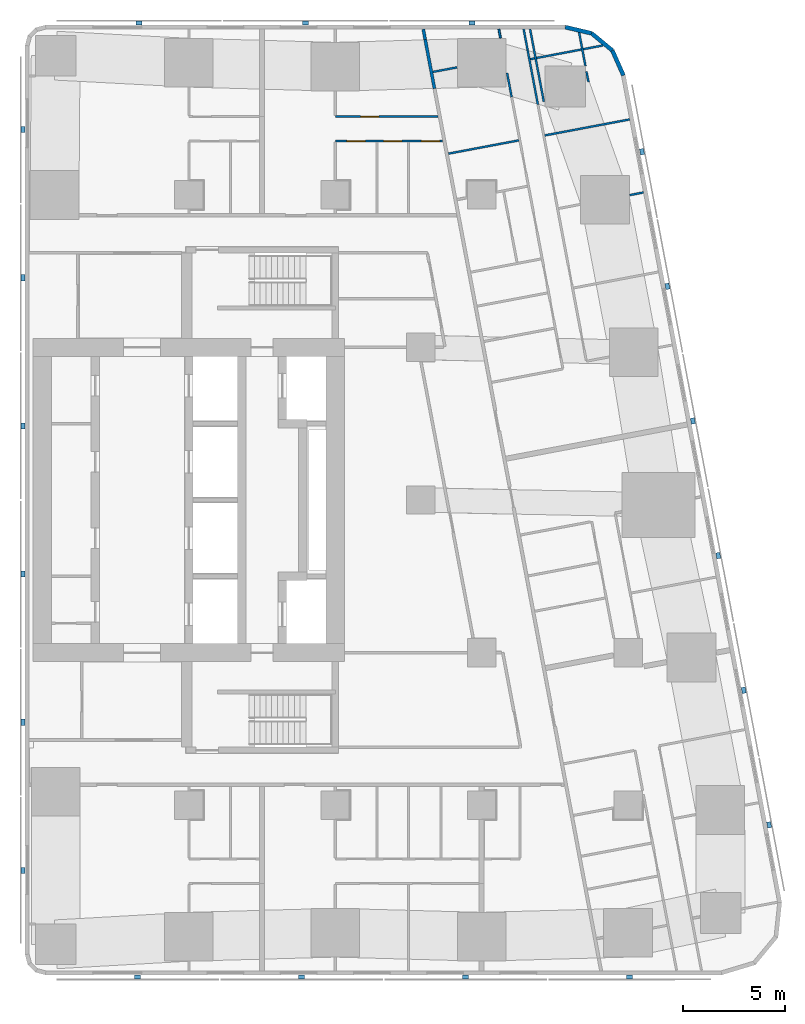
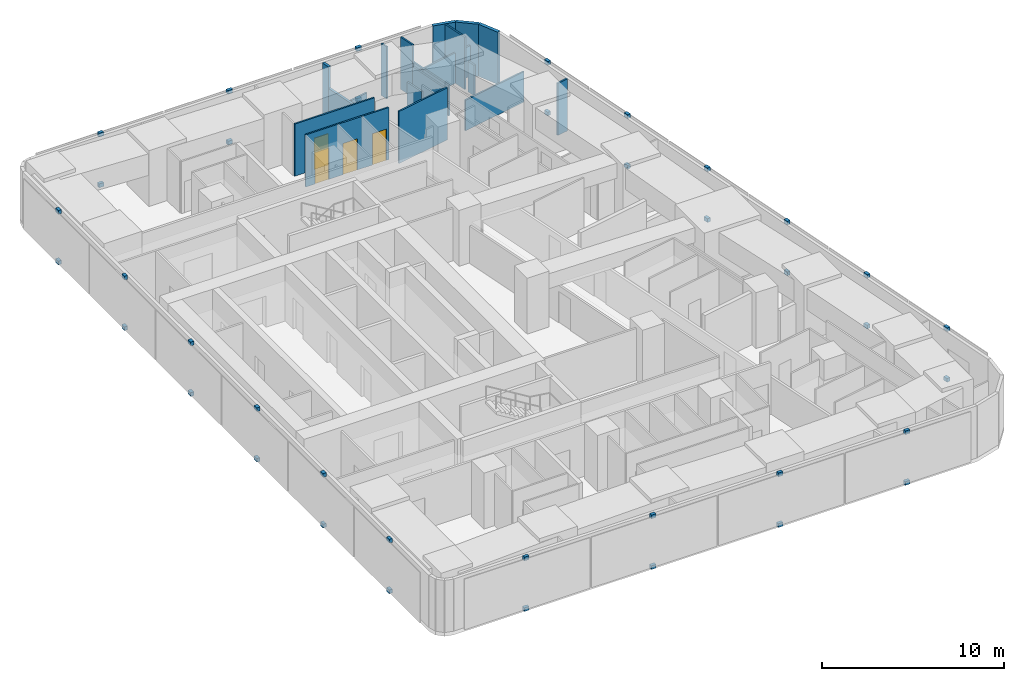
# One storey, part 8 of 10: 38 discrete accessories, 19 walls, 4 doors, 4 openings.
"""IFC4 building model written with IfcOpenShell, lengths in metres."""

from ifc_helpers import new_model, si_unit, direction, frame, frame_2d, origin, origin_2d, place, context, subcontext, project, spatial, rectangle, extrude, material, layer, layer_set, type_object, element, fill, save


model = new_model("IFC4")

# Units and contexts
model_context = context("Model", 3, precision=1e-05, world=origin(), true_north=direction((0.0, 1.0)))
body_context = subcontext(model_context, "Body", "Model", "MODEL_VIEW")
ifc_project = project(units=[si_unit("LENGTHUNIT", "METRE"), si_unit("AREAUNIT", "SQUARE_METRE"), si_unit("VOLUMEUNIT", "CUBIC_METRE"), si_unit("PLANEANGLEUNIT", "RADIAN"), si_unit("MASSUNIT", "GRAM", prefix="KILO")], contexts=[model_context])

# Site, building, storey
site_placement = place(None, origin())
site = spatial("IfcSite", under=ifc_project, at=site_placement, CompositionType="ELEMENT")
building_placement = place(site_placement, origin())
building = spatial("IfcBuilding", under=site, at=building_placement, Name="Sheger Commons Tower", CompositionType="ELEMENT")
storey_placement = place(building_placement, frame((0.0, 0.0, 231.199951171875)))
storey = spatial("IfcBuildingStorey", under=building, at=storey_placement, Name="L59", CompositionType="ELEMENT", Elevation=231.199951171875)

# Walls
ifc_material_1 = material(Name="Hollow concrete block masonry, skimmed both sides", Category="masonry")
ifc_layer_1 = layer(ifc_material_1, 0.14990234375)
ifc_layer_set_1 = layer_set([ifc_layer_1], Name="CORRIDOR WALL 150")
wall_type_1 = type_object("IfcWallType", Name="CORRIDOR WALL 150", PredefinedType="SOLIDWALL", material=ifc_layer_set_1)
wall_1_placement = place(storey_placement, frame((33.126953125, 45.64990234375, 0.0), z_axis=(0.0, 0.0, 1.0), x_axis=(0.185441815104, -0.982655246366, 0.0)))
element("IfcWall", 1, at=wall_1_placement, inside=storey, type_object=wall_type_1, Name="Corridor wall L59", PredefinedType="SOLIDWALL", context=body_context, shape_type="SweptSolid", body=[
    extrude(rectangle(XDim=0.52392578125, YDim=0.14990234375, at=frame_2d((0.261962890625, 0.0))), origin(), (0.0, 0.0, 1.0), 3.5),
])
wall_2_placement = place(storey_placement, frame((33.22412109375, 45.135009765625, 0.0), z_axis=(0.0, 0.0, 1.0), x_axis=(0.185681462868, -0.982609990967, 0.0)))
element("IfcWall", 2, at=wall_2_placement, inside=storey, type_object=wall_type_1, Name="Corridor wall L59", PredefinedType="SOLIDWALL", context=body_context, shape_type="SweptSolid", body=[
    extrude(rectangle(XDim=2.454833984375, YDim=0.14990234375, at=frame_2d((1.2275390625, 0.0))), origin(), (0.0, 0.0, 1.0), 2.050048828125),
])
ifc_material_2 = material(Name="Rendered concrete block masonry, dark grey", Category="masonry")
ifc_layer_2 = layer(ifc_material_2, 0.199951171875)
ifc_layer_set_2 = layer_set([ifc_layer_2], Name="FACADE WALL 200")
wall_type_2 = type_object("IfcWallType", Name="FACADE WALL 200", PredefinedType="SOLIDWALL", material=ifc_layer_set_2)
wall_3_placement = place(storey_placement, frame((42.969970703125, 43.376953125, 0.0), z_axis=(0.0, 0.0, 1.0), x_axis=(-0.406002956633, 0.913871762998, 0.0)))
element("IfcWall", 3, at=wall_3_placement, inside=storey, type_object=wall_type_2, Name="Facade wall L59", PredefinedType="SOLIDWALL", context=body_context, shape_type="SweptSolid", body=[
    extrude(rectangle(XDim=1.33740234375, YDim=0.199951171875, at=frame_2d((0.668701171875, 0.0))), origin(), (0.0, 0.0, 1.0), 3.5),
])
wall_4_placement = place(storey_placement, frame((42.427001953125, 44.59912109375, 0.0), z_axis=(0.0, 0.0, 1.0), x_axis=(-0.770091412544, 0.637933551655, 0.0)))
element("IfcWall", 4, at=wall_4_placement, inside=storey, type_object=wall_type_2, Name="Facade wall L59", PredefinedType="SOLIDWALL", context=body_context, shape_type="SweptSolid", body=[
    extrude(rectangle(XDim=1.324462890625, YDim=0.199951171875, at=frame_2d((0.662109375, 0.0))), origin(), (0.0, 0.0, 1.0), 3.5),
])
wall_5_placement = place(storey_placement, frame((41.406982421875, 45.444091796875, 0.0), z_axis=(0.0, 0.0, 1.0), x_axis=(-0.973453091607, 0.228886606077, 0.0)))
element("IfcWall", 5, at=wall_5_placement, inside=storey, type_object=wall_type_2, Name="Facade wall L59", PredefinedType="SOLIDWALL", context=body_context, shape_type="SweptSolid", body=[
    extrude(rectangle(XDim=1.33642578125, YDim=0.199951171875, at=frame_2d((0.668212890625, 0.0))), origin(), (0.0, 0.0, 1.0), 3.5),
])
ifc_material_3 = material(Name="Gypsum board on steel studs", Category="steel")
ifc_layer_3 = layer(ifc_material_3, 0.10009765625)
ifc_layer_set_3 = layer_set([ifc_layer_3], Name="PARTITION 100")
wall_type_3 = type_object("IfcWallType", Name="PARTITION 100", PredefinedType="PARTITIONING", material=ifc_layer_set_3)
wall_6_placement = place(storey_placement, frame((39.053955078125, 42.0849609375, 0.0), z_axis=(0.0, 0.0, 1.0), x_axis=(-0.185791584218, 0.982589175207, 0.0)))
element("IfcWall", 6, at=wall_6_placement, inside=storey, type_object=wall_type_3, Name="Partition L59", PredefinedType="PARTITIONING", context=body_context, shape_type="SweptSolid", body=[
    extrude(rectangle(XDim=3.628173828125, YDim=0.10009765625, at=frame_2d((1.81396484375, 0.0))), origin(), (0.0, 0.0, 1.0), 2.050048828125),
])
wall_7_placement = place(storey_placement, frame((40.7890625, 45.487060546875, 0.0), z_axis=(0.0, 0.0, 1.0), x_axis=(0.185572395193, -0.982630594955, 0.0)))
element("IfcWall", 7, at=wall_7_placement, inside=storey, type_object=wall_type_3, Name="Partition L59", PredefinedType="PARTITIONING", context=body_context, shape_type="SweptSolid", body=[
    extrude(rectangle(XDim=1.676025390625, YDim=0.10009765625, at=frame_2d((0.837890625, 0.0))), origin(), (0.0, 0.0, 1.0), 3.5),
])
wall_8_placement = place(storey_placement, frame((41.15087890625, 43.569091796875, 0.0), z_axis=(0.0, 0.0, 1.0), x_axis=(0.186563073924, -0.982442985342, 0.0)))
element("IfcWall", 8, at=wall_8_placement, inside=storey, type_object=wall_type_3, Name="Partition L59", PredefinedType="PARTITIONING", context=body_context, shape_type="SweptSolid", body=[
    extrude(rectangle(XDim=0.53125, YDim=0.10009765625, at=frame_2d((0.265625, 0.0))), origin(), (0.0, 0.0, 1.0), 2.050048828125),
])
wall_9_placement = place(storey_placement, frame((38.06298828125, 45.64990234375, 0.0), z_axis=(0.0, 0.0, 1.0), x_axis=(0.185677287841, -0.982610779902, 0.0)))
element("IfcWall", 9, at=wall_9_placement, inside=storey, type_object=wall_type_3, Name="Partition L59", PredefinedType="PARTITIONING", context=body_context, shape_type="SweptSolid", body=[
    extrude(rectangle(XDim=1.0400390625, YDim=0.10009765625, at=frame_2d((0.52001953125, 0.0))), origin(), (0.0, 0.0, 1.0), 3.5),
])
wall_10_placement = place(storey_placement, frame((38.256103515625, 44.6279296875, 0.0), z_axis=(0.0, 0.0, 1.0), x_axis=(0.185700639943, -0.982606366927, 0.0)))
element("IfcWall", 10, at=wall_10_placement, inside=storey, type_object=wall_type_3, Name="Partition L59", PredefinedType="PARTITIONING", context=body_context, shape_type="SweptSolid", body=[
    extrude(rectangle(XDim=2.734619140625, YDim=0.10009765625, at=frame_2d((1.3671875, 0.0))), origin(), (0.0, 0.0, 1.0), 2.050048828125),
])
wall_11_placement = place(storey_placement, frame((36.842041015625, 45.64990234375, 0.0), z_axis=(0.0, 0.0, 1.0), x_axis=(0.185407859198, -0.982661653748, 0.0)))
element("IfcWall", 11, at=wall_11_placement, inside=storey, type_object=wall_type_3, Name="Partition L59", PredefinedType="PARTITIONING", context=body_context, shape_type="SweptSolid", body=[
    extrude(rectangle(XDim=0.44775390625, YDim=0.10009765625, at=frame_2d((0.223876953125, 0.0))), origin(), (0.0, 0.0, 1.0), 3.5),
])
wall_12_placement = place(storey_placement, frame((37.2490234375, 43.492919921875, 0.0), z_axis=(0.0, 0.0, 1.0), x_axis=(0.185817643817, -0.982584247404, 0.0)))
element("IfcWall", 12, at=wall_12_placement, inside=storey, type_object=wall_type_3, Name="Partition L59", PredefinedType="PARTITIONING", context=body_context, shape_type="SweptSolid", body=[
    extrude(rectangle(XDim=1.204833984375, YDim=0.10009765625, at=frame_2d((0.6025390625, 0.0))), origin(), (0.0, 0.0, 1.0), 2.050048828125),
])
wall_13_placement = place(storey_placement, frame((41.968017578125, 44.85009765625, 0.0), z_axis=(0.0, 0.0, 1.0), x_axis=(-0.98258614234, -0.185807623311, 0.0)))
element("IfcWall", 13, at=wall_13_placement, inside=storey, type_object=wall_type_3, Name="Partition L59", PredefinedType="PARTITIONING", context=body_context, shape_type="SweptSolid", body=[
    extrude(rectangle(XDim=3.638427734375, YDim=0.10009765625, at=frame_2d((1.8193359375, 0.0))), origin(), (0.0, 0.0, 1.0), 2.050048828125),
])
wall_14_placement = place(storey_placement, frame((43.277099609375, 41.2119140625, 0.0), z_axis=(0.0, 0.0, 1.0), x_axis=(-0.982665405803, -0.185387972203, 0.0)))
element("IfcWall", 14, at=wall_14_placement, inside=storey, type_object=wall_type_3, Name="Partition L59", PredefinedType="PARTITIONING", context=body_context, shape_type="SweptSolid", body=[
    extrude(rectangle(XDim=4.249755859375, YDim=0.10009765625, at=frame_2d((2.125, 0.0))), origin(), (0.0, 0.0, 1.0), 2.050048828125),
])
wall_15_placement = place(storey_placement, frame((43.955078125, 37.6201171875, 0.0), z_axis=(0.0, 0.0, 1.0), x_axis=(-0.982495415327, -0.186286765128, 0.0)))
element("IfcWall", 15, at=wall_15_placement, inside=storey, type_object=wall_type_3, Name="Partition L59", PredefinedType="PARTITIONING", context=body_context, shape_type="SweptSolid", body=[
    extrude(rectangle(XDim=0.693359375, YDim=0.10009765625, at=frame_2d((0.3466796875, 0.0))), origin(), (0.0, 0.0, 1.0), 3.5),
])
wall_16_placement = place(storey_placement, frame((34.7900390625, 43.77099609375, 0.0), z_axis=(0.0, 0.0, 1.0), x_axis=(-0.982730261052, -0.18504387051, 0.0)))
element("IfcWall", 16, at=wall_16_placement, inside=storey, type_object=wall_type_3, Name="Partition L59", PredefinedType="PARTITIONING", context=body_context, shape_type="SweptSolid", body=[
    extrude(rectangle(XDim=1.2099609375, YDim=0.10009765625, at=frame_2d((0.60498046875, 0.0))), origin(), (0.0, 0.0, 1.0), 2.050048828125),
])
wall_17_placement = place(storey_placement, frame((37.823974609375, 40.181884765625, 0.0), z_axis=(0.0, 0.0, 1.0), x_axis=(-0.982648794755, -0.185475998897, 0.0)))
element("IfcWall", 17, at=wall_17_placement, inside=storey, type_object=wall_type_3, Name="Partition L59", PredefinedType="PARTITIONING", context=body_context, shape_type="SweptSolid", body=[
    extrude(rectangle(XDim=3.525146484375, YDim=0.10009765625, at=frame_2d((1.7626953125, 0.0))), origin(), (0.0, 0.0, 1.0), 3.5),
])

# Wall, opening, door
wall_18_placement = place(storey_placement, frame((28.800048828125, 41.35009765625, 0.0), z_axis=(0.0, 0.0, 1.0), x_axis=(1.0, 0.0, 0.0)))
wall_18 = element("IfcWall", 18, at=wall_18_placement, inside=storey, type_object=wall_type_3, Name="Partition L59", PredefinedType="PARTITIONING", context=body_context, shape_type="SweptSolid", body=[
    extrude(rectangle(XDim=5.052978515625, YDim=0.10009765625, at=frame_2d((2.5263671875, 0.0))), origin(), (0.0, 0.0, 1.0), 3.5),
])
opening_1_placement = place(wall_18_placement, frame((1.25, 0.0, 0.0)))
opening_1 = element("IfcOpeningElement", 19, at=opening_1_placement, cuts=wall_18, Name="Opening D2", PredefinedType="OPENING", context=body_context, shape_type="SweptSolid", body=[
    extrude(rectangle(XDim=0.89990234375, YDim=2.10009765625, at=frame_2d((0.449951171875, 1.050048828125))), frame((0.0, 0.06005859375, 0.0), z_axis=(0.0, -1.0, 0.0), x_axis=(1.0, 0.0, 0.0)), (0.0, 0.0, 1.0), 0.1201171875),
])
ifc_material_4 = material(Name="Timber door set", Category="wood")
door_type = type_object("IfcDoorType", Name="INTERNAL DOOR 900x2100", OperationType="NOTDEFINED", PredefinedType="DOOR", material=ifc_material_4)
door_1_placement = place(opening_1_placement, origin())
door_1 = element("IfcDoor", 20, at=door_1_placement, inside=storey, type_object=door_type, Name="Main bedroom door", OperationType="SINGLE_SWING_RIGHT", OverallHeight=2.10009765625, OverallWidth=0.89990234375, PredefinedType="DOOR", context=body_context, shape_type="SweptSolid", body=[
    extrude(rectangle(XDim=0.89990234375, YDim=2.10009765625, at=frame_2d((0.449951171875, 1.050048828125))), frame((0.0, 0.02490234375, 0.0), z_axis=(0.0, -1.0, 0.0), x_axis=(1.0, 0.0, 0.0)), (0.0, 0.0, 1.0), 0.050048828125),
])
fill(opening_1, door_1)

# Wall, openings, doors
wall_19_placement = place(storey_placement, frame((28.800048828125, 40.14990234375, 0.0), z_axis=(0.0, 0.0, 1.0), x_axis=(1.0, 0.0, 0.0)))
wall_19 = element("IfcWall", 21, at=wall_19_placement, inside=storey, type_object=wall_type_3, Name="Partition L59", PredefinedType="PARTITIONING", context=body_context, shape_type="SweptSolid", body=[
    extrude(rectangle(XDim=5.280029296875, YDim=0.10009765625, at=frame_2d((2.64013671875, 0.0))), origin(), (0.0, 0.0, 1.0), 3.5),
])
opening_2_placement = place(wall_19_placement, frame((0.574951171875, 0.0, 0.0)))
opening_2 = element("IfcOpeningElement", 22, at=opening_2_placement, cuts=wall_19, Name="Opening D2", PredefinedType="OPENING", context=body_context, shape_type="SweptSolid", body=[
    extrude(rectangle(XDim=0.89990234375, YDim=2.10009765625, at=frame_2d((0.449951171875, 1.050048828125))), frame((0.0, 0.06005859375, 0.0), z_axis=(0.0, -1.0, 0.0), x_axis=(1.0, 0.0, 0.0)), (0.0, 0.0, 1.0), 0.1201171875),
])
opening_3_placement = place(wall_19_placement, frame((4.22998046875, 0.0, 0.0)))
opening_3 = element("IfcOpeningElement", 23, at=opening_3_placement, cuts=wall_19, Name="Opening D2", PredefinedType="OPENING", context=body_context, shape_type="SweptSolid", body=[
    extrude(rectangle(XDim=0.89990234375, YDim=2.10009765625, at=frame_2d((0.449951171875, 1.050048828125))), frame((0.0, 0.06005859375, 0.0), z_axis=(0.0, -1.0, 0.0), x_axis=(1.0, 0.0, 0.0)), (0.0, 0.0, 1.0), 0.1201171875),
])
opening_4_placement = place(wall_19_placement, frame((2.375, 0.0, 0.0)))
opening_4 = element("IfcOpeningElement", 24, at=opening_4_placement, cuts=wall_19, Name="Opening D2", PredefinedType="OPENING", context=body_context, shape_type="SweptSolid", body=[
    extrude(rectangle(XDim=0.89990234375, YDim=2.10009765625, at=frame_2d((0.449951171875, 1.050048828125))), frame((0.0, 0.06005859375, 0.0), z_axis=(0.0, -1.0, 0.0), x_axis=(1.0, 0.0, 0.0)), (0.0, 0.0, 1.0), 0.1201171875),
])
door_2_placement = place(opening_2_placement, origin())
door_2 = element("IfcDoor", 25, at=door_2_placement, inside=storey, type_object=door_type, Name="Bathroom door", OperationType="SINGLE_SWING_RIGHT", OverallHeight=2.10009765625, OverallWidth=0.89990234375, PredefinedType="DOOR", context=body_context, shape_type="SweptSolid", body=[
    extrude(rectangle(XDim=0.89990234375, YDim=2.10009765625, at=frame_2d((0.449951171875, 1.050048828125))), frame((0.0, 0.02490234375, 0.0), z_axis=(0.0, -1.0, 0.0), x_axis=(1.0, 0.0, 0.0)), (0.0, 0.0, 1.0), 0.050048828125),
])
fill(opening_2, door_2)
door_3_placement = place(opening_3_placement, origin())
door_3 = element("IfcDoor", 26, at=door_3_placement, inside=storey, type_object=door_type, Name="Laundry room door", OperationType="SINGLE_SWING_LEFT", OverallHeight=2.10009765625, OverallWidth=0.89990234375, PredefinedType="DOOR", context=body_context, shape_type="SweptSolid", body=[
    extrude(rectangle(XDim=0.89990234375, YDim=2.10009765625, at=frame_2d((0.449951171875, 1.050048828125))), frame((0.0, 0.02490234375, 0.0), z_axis=(0.0, -1.0, 0.0), x_axis=(1.0, 0.0, 0.0)), (0.0, 0.0, 1.0), 0.050048828125),
])
fill(opening_3, door_3)
door_4_placement = place(opening_4_placement, origin())
door_4 = element("IfcDoor", 27, at=door_4_placement, inside=storey, type_object=door_type, Name="Store door", OperationType="SINGLE_SWING_RIGHT", OverallHeight=2.10009765625, OverallWidth=0.89990234375, PredefinedType="DOOR", context=body_context, shape_type="SweptSolid", body=[
    extrude(rectangle(XDim=0.89990234375, YDim=2.10009765625, at=frame_2d((0.449951171875, 1.050048828125))), frame((0.0, 0.02490234375, 0.0), z_axis=(0.0, -1.0, 0.0), x_axis=(1.0, 0.0, 0.0)), (0.0, 0.0, 1.0), 0.050048828125),
])
fill(opening_4, door_4)

# Discrete accessories
ifc_material_5 = material(Name="Black painted steel bracket", Category="steel")
discrete_accessory_type = type_object("IfcDiscreteAccessoryType", Name="SCREEN BRACKET 300x200x250", PredefinedType="BRACKET", material=ifc_material_5)
for number, where, z_axis, x_axis, name in (
    (28, (19.08203125, -0.949951171875, -0.099853515625), (0.0, 0.0, 1.0), (1.0, 0.0, 0.0), "Solar screen foot bracket"),
    (29, (19.08203125, -0.949951171875, 3.300048828125), (0.0, 0.0, 1.0), (1.0, 0.0, 0.0), "Solar screen head bracket"),
    (30, (27.14599609375, -0.949951171875, -0.099853515625), (0.0, 0.0, 1.0), (1.0, 0.0, 0.0), "Solar screen foot bracket"),
    (31, (27.14599609375, -0.949951171875, 3.300048828125), (0.0, 0.0, 1.0), (1.0, 0.0, 0.0), "Solar screen head bracket"),
    (32, (35.2099609375, -0.949951171875, -0.099853515625), (0.0, 0.0, 1.0), (1.0, 0.0, 0.0), "Solar screen foot bracket"),
    (33, (35.2099609375, -0.949951171875, 3.300048828125), (0.0, 0.0, 1.0), (1.0, 0.0, 0.0), "Solar screen head bracket"),
    (34, (43.27392578125, -0.949951171875, -0.099853515625), (0.0, 0.0, 1.0), (1.0, 0.0, 0.0), "Solar screen foot bracket"),
    (35, (43.27392578125, -0.949951171875, 3.300048828125), (0.0, 0.0, 1.0), (1.0, 0.0, 0.0), "Solar screen head bracket"),
    (36, (50.134033203125, 6.527099609375, -0.099853515625), (0.0, 0.0, 1.0), (-0.185615165645, 0.982622516678, 0.0), "Solar screen foot bracket"),
    (37, (50.134033203125, 6.527099609375, 3.300048828125), (0.0, 0.0, 1.0), (-0.185615165645, 0.982622516678, 0.0), "Solar screen head bracket"),
    (38, (48.884033203125, 13.14599609375, -0.099853515625), (0.0, 0.0, 1.0), (-0.185615165645, 0.982622516678, 0.0), "Solar screen foot bracket"),
    (39, (48.884033203125, 13.14599609375, 3.300048828125), (0.0, 0.0, 1.0), (-0.185615165645, 0.982622516678, 0.0), "Solar screen head bracket"),
    (40, (47.633056640625, 19.76611328125, -0.099853515625), (0.0, 0.0, 1.0), (-0.185615165645, 0.982622516678, 0.0), "Solar screen foot bracket"),
    (41, (47.633056640625, 19.76611328125, 3.300048828125), (0.0, 0.0, 1.0), (-0.185615165645, 0.982622516678, 0.0), "Solar screen head bracket"),
    (42, (46.383056640625, 26.385009765625, -0.099853515625), (0.0, 0.0, 1.0), (-0.185615165645, 0.982622516678, 0.0), "Solar screen foot bracket"),
    (43, (46.383056640625, 26.385009765625, 3.300048828125), (0.0, 0.0, 1.0), (-0.185615165645, 0.982622516678, 0.0), "Solar screen head bracket"),
    (44, (45.133056640625, 33.0048828125, -0.099853515625), (0.0, 0.0, 1.0), (-0.185615165645, 0.982622516678, 0.0), "Solar screen foot bracket"),
    (45, (45.133056640625, 33.0048828125, 3.300048828125), (0.0, 0.0, 1.0), (-0.185615165645, 0.982622516678, 0.0), "Solar screen head bracket"),
    (46, (43.882080078125, 39.6240234375, -0.099853515625), (0.0, 0.0, 1.0), (-0.185615165645, 0.982622516678, 0.0), "Solar screen foot bracket"),
    (47, (43.882080078125, 39.6240234375, 3.300048828125), (0.0, 0.0, 1.0), (-0.185615165645, 0.982622516678, 0.0), "Solar screen head bracket"),
    (48, (35.52294921875, 45.949951171875, -0.099853515625), (0.0, 0.0, 1.0), (-1.0, 0.0, 0.0), "Solar screen foot bracket"),
    (49, (35.52294921875, 45.949951171875, 3.300048828125), (0.0, 0.0, 1.0), (-1.0, 0.0, 0.0), "Solar screen head bracket"),
    (50, (27.333984375, 45.949951171875, -0.099853515625), (0.0, 0.0, 1.0), (-1.0, 0.0, 0.0), "Solar screen foot bracket"),
    (51, (27.333984375, 45.949951171875, 3.300048828125), (0.0, 0.0, 1.0), (-1.0, 0.0, 0.0), "Solar screen head bracket"),
    (52, (19.14501953125, 45.949951171875, -0.099853515625), (0.0, 0.0, 1.0), (-1.0, 0.0, 0.0), "Solar screen foot bracket"),
    (53, (19.14501953125, 45.949951171875, 3.300048828125), (0.0, 0.0, 1.0), (-1.0, 0.0, 0.0), "Solar screen head bracket"),
    (54, (13.449951171875, 40.7080078125, -0.099853515625), (0.0, 0.0, 1.0), (0.0, -1.0, 0.0), "Solar screen foot bracket"),
    (55, (13.449951171875, 40.7080078125, 3.300048828125), (0.0, 0.0, 1.0), (0.0, -1.0, 0.0), "Solar screen head bracket"),
    (56, (13.449951171875, 33.425048828125, -0.099853515625), (0.0, 0.0, 1.0), (0.0, -1.0, 0.0), "Solar screen foot bracket"),
    (57, (13.449951171875, 33.425048828125, 3.300048828125), (0.0, 0.0, 1.0), (0.0, -1.0, 0.0), "Solar screen head bracket"),
    (58, (13.449951171875, 26.14208984375, -0.099853515625), (0.0, 0.0, 1.0), (0.0, -1.0, 0.0), "Solar screen foot bracket"),
    (59, (13.449951171875, 26.14208984375, 3.300048828125), (0.0, 0.0, 1.0), (0.0, -1.0, 0.0), "Solar screen head bracket"),
    (60, (13.449951171875, 18.85791015625, -0.099853515625), (0.0, 0.0, 1.0), (0.0, -1.0, 0.0), "Solar screen foot bracket"),
    (61, (13.449951171875, 18.85791015625, 3.300048828125), (0.0, 0.0, 1.0), (0.0, -1.0, 0.0), "Solar screen head bracket"),
    (62, (13.449951171875, 11.574951171875, -0.099853515625), (0.0, 0.0, 1.0), (0.0, -1.0, 0.0), "Solar screen foot bracket"),
    (63, (13.449951171875, 11.574951171875, 3.300048828125), (0.0, 0.0, 1.0), (0.0, -1.0, 0.0), "Solar screen head bracket"),
    (64, (13.449951171875, 4.2919921875, -0.099853515625), (0.0, 0.0, 1.0), (0.0, -1.0, 0.0), "Solar screen foot bracket"),
    (65, (13.449951171875, 4.2919921875, 3.300048828125), (0.0, 0.0, 1.0), (0.0, -1.0, 0.0), "Solar screen head bracket"),
):
    element("IfcDiscreteAccessory", number, at=place(storey_placement, frame(where, z_axis=z_axis, x_axis=x_axis)), inside=storey, type_object=discrete_accessory_type, Name=name, PredefinedType="BRACKET", context=body_context, shape_type="SweptSolid", body=[
        extrude(rectangle(XDim=0.300048828125, YDim=0.199951171875, at=origin_2d()), origin(), (0.0, 0.0, 1.0), 0.25),
    ])

save(model, "model.ifc")
